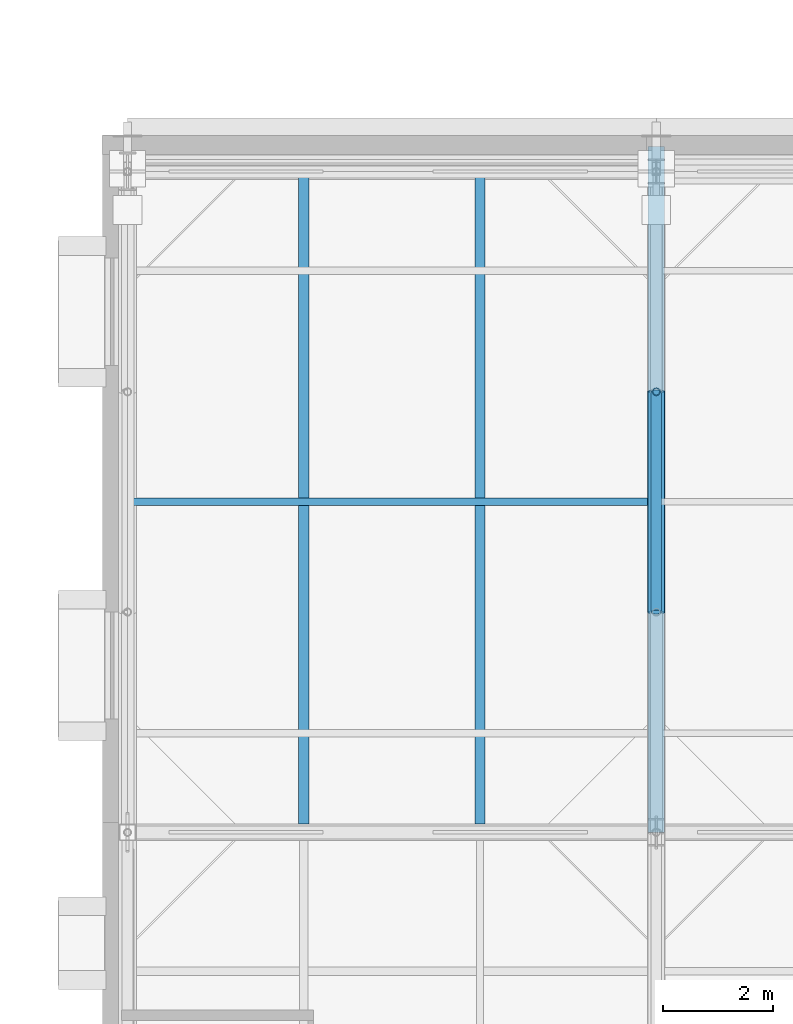
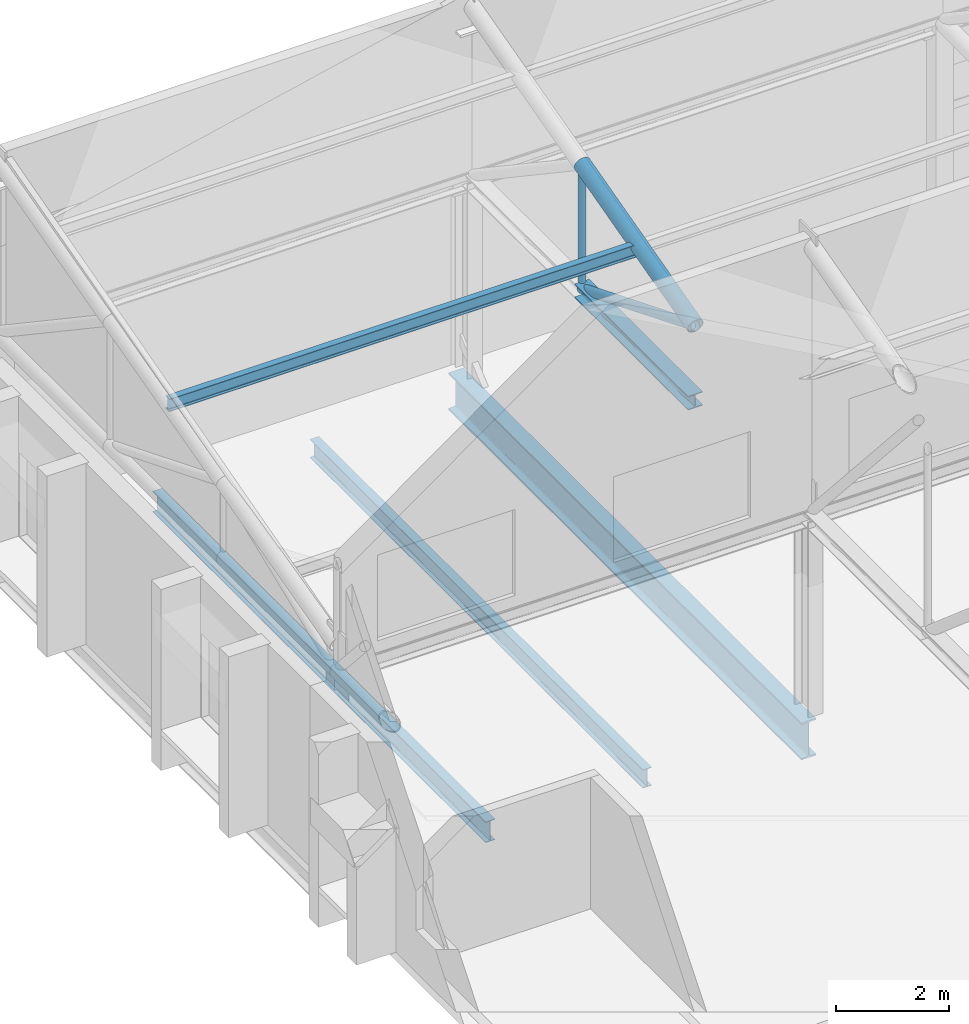
# One storey, part 33 of 89: 5 members, 3 beams.
"""IFC4 building model written with IfcOpenShell, lengths in metres."""

import ifcopenshell
import ifcopenshell.guid

model = None  # the IFC model being written
_history = None  # IfcOwnerHistory: only IFC2X3 demands one
_inside = {}  # id of a spatial element -> (the spatial element, [elements in it])
_under = {}  # id of a project, library or spatial element -> (it, [spatial elements below it])
_declared = {}  # id of a project -> (the project, [libraries it declares])
_typed = {}  # id of a type object -> (the type object, [elements of that type])
_made_of = {}  # id of a material, layer set ... -> (it, [elements and type objects made of it])


def new_model(schema):
    """Start an empty IFC model of exactly this schema.

    Asked for "IFC4X3", IfcOpenShell would pick the latest addendum, in which some entities
    have other attributes; the version numbers below select the first issue.
    IFC2X3 requires an IfcOwnerHistory on every rooted entity: one is made here for all.
    """
    global model, _history
    if schema == "IFC4X3":
        model = ifcopenshell.file(schema_version=(4, 3, 0, 0))
    else:
        model = ifcopenshell.file(schema=schema)
    _inside.clear()
    _under.clear()
    _declared.clear()
    _typed.clear()
    _made_of.clear()
    _history = None
    if model.schema == "IFC2X3":
        org = make("IfcOrganization", Name="unknown")
        user = make(
            "IfcPersonAndOrganization",
            ThePerson=make("IfcPerson", FamilyName="unknown"),
            TheOrganization=org,
        )
        app = make(
            "IfcApplication",
            ApplicationDeveloper=org,
            Version="unknown",
            ApplicationFullName="unknown",
            ApplicationIdentifier="unknown",
        )
        _history = make(
            "IfcOwnerHistory",
            OwningUser=user,
            OwningApplication=app,
            ChangeAction="ADDED",
            CreationDate=0,
        )
    return model


def make(cls, **values):
    """One entity of the class cls with the attributes given. An attribute that is None is left unset."""
    return model.create_entity(
        cls, **{name: value for name, value in values.items() if value is not None}
    )


def rooted(cls, **values):
    """An entity with a GlobalId (a new one), such as an element, a storey or a relation."""
    return make(cls, GlobalId=ifcopenshell.guid.new(), OwnerHistory=_history, **values)


def si_unit(unit_type, name, prefix=None):
    """IfcSIUnit, for example si_unit("LENGTHUNIT", "METRE", prefix="MILLI")."""
    return make("IfcSIUnit", UnitType=unit_type, Prefix=prefix, Name=name)


def assignment(units):
    """IfcUnitAssignment: the units of a project."""
    return None if units is None else make("IfcUnitAssignment", Units=units)


def point(xyz):
    """IfcCartesianPoint."""
    return None if xyz is None else make("IfcCartesianPoint", Coordinates=xyz)


def direction(xyz):
    """IfcDirection."""
    return None if xyz is None else make("IfcDirection", DirectionRatios=xyz)


def frame(location, z_axis=None, x_axis=None):
    """IfcAxis2Placement3D, a coordinate frame: its origin and axes. An axis left out is left unset."""
    return make(
        "IfcAxis2Placement3D",
        Location=point(location),
        Axis=direction(z_axis),
        RefDirection=direction(x_axis),
    )


def frame_2d(location, x_axis=None):
    """IfcAxis2Placement2D, a coordinate frame in the plane: its origin and x axis."""
    return make(
        "IfcAxis2Placement2D", Location=point(location), RefDirection=direction(x_axis)
    )


def origin():
    """The frame at (0, 0, 0) with its axes left unset."""
    return frame((0.0, 0.0, 0.0))


def origin_2d():
    """The frame at (0, 0) in the plane with its x axis left unset."""
    return frame_2d((0.0, 0.0))


def place(relative_to, where):
    """IfcLocalPlacement: puts the frame where relative to a parent placement (None: the world)."""
    return make(
        "IfcLocalPlacement", PlacementRelTo=relative_to, RelativePlacement=where
    )


def context(
    kind, dimensions, precision=None, world=None, true_north=None, identifier=None
):
    """IfcGeometricRepresentationContext, for example the 3D "Model" context."""
    return make(
        "IfcGeometricRepresentationContext",
        ContextIdentifier=identifier,
        ContextType=kind,
        CoordinateSpaceDimension=dimensions,
        Precision=precision,
        WorldCoordinateSystem=world,
        TrueNorth=true_north,
    )


def subcontext(parent, identifier, kind, view, scale=None):
    """IfcGeometricRepresentationSubContext, for example "Body" below "Model"."""
    return make(
        "IfcGeometricRepresentationSubContext",
        ContextIdentifier=identifier,
        ContextType=kind,
        ParentContext=parent,
        TargetScale=scale,
        TargetView=view,
    )


def project(units=None, contexts=None):
    """IfcProject with its units and contexts."""
    return rooted(
        "IfcProject",
        Name="project",
        RepresentationContexts=contexts,
        UnitsInContext=assignment(units),
    )


def spatial(cls, under=None, at=None, **own):
    """A site, building, storey or space (cls), placed at a placement, below another one or the project."""
    s = rooted(cls, ObjectPlacement=at, **own)
    if under is not None:
        _under.setdefault(under.id(), (under, []))[1].append(s)
    return s


def profile(cls, at=None, kind="AREA", **sizes):
    """A parametric profile (cls). Its sizes go by their IFC names, for example OverallWidth=200.0."""
    return make(cls, ProfileType=kind, Position=at, **sizes)


def hollow_circle(**sizes):
    """IfcCircleHollowProfileDef."""
    return profile("IfcCircleHollowProfileDef", **sizes)


def i_section(**sizes):
    """IfcIShapeProfileDef."""
    return profile("IfcIShapeProfileDef", **sizes)


def extrude(swept, where, along, depth):
    """IfcExtrudedAreaSolid: the profile swept, set in the frame where, extruded along a direction by depth."""
    return make(
        "IfcExtrudedAreaSolid",
        SweptArea=swept,
        Position=where,
        ExtrudedDirection=direction(along),
        Depth=depth,
    )


def shape(context_of_items, identifier, shape_type, items):
    """IfcShapeRepresentation: the items that make up one representation, for example the "Body"."""
    return make(
        "IfcShapeRepresentation",
        ContextOfItems=context_of_items,
        RepresentationIdentifier=identifier,
        RepresentationType=shape_type,
        Items=items,
    )


def material(Name=None, Category=None):
    """IfcMaterial."""
    return make("IfcMaterial", Name=Name, Category=Category)


def material_profile(
    of_material, cross_section, Name=None, Category=None, Priority=None
):
    """IfcMaterialProfile: a cross section and its material."""
    return make(
        "IfcMaterialProfile",
        Name=Name,
        Material=of_material,
        Profile=cross_section,
        Priority=Priority,
        Category=Category,
    )


def profile_set(profiles, Name=None, composite=None):
    """IfcMaterialProfileSet."""
    return make(
        "IfcMaterialProfileSet",
        Name=Name,
        MaterialProfiles=profiles,
        CompositeProfile=composite,
    )


def made_of(thing, what):
    """Note that an element or type object is made of a material, layer set ...; save() writes the relation."""
    if what is not None:
        _made_of.setdefault(what.id(), (what, []))[1].append(thing)
    return thing


def type_object(cls, material=None, **own):
    """A type object (cls), such as IfcWallType, which elements share."""
    return made_of(rooted(cls, **own), material)


def element(
    cls,
    number,
    at=None,
    inside=None,
    cuts=None,
    type_object=None,
    material=None,
    context=None,
    identifier="Body",
    shape_type=None,
    held_by="IfcProductDefinitionShape",
    body=None,
    shapes=None,
    **own,
):
    """One element of the class cls, such as IfcWall. Its Tag is "e" and its number.

    at: its placement. inside: the storey or other place that contains it. cuts: it is an
    opening in that element (IfcRelVoidsElement). A single representation is given by context,
    identifier, shape_type and body (its items); several are given by shapes. held_by: the class
    of the entity that holds the representations. save() writes the other relations.
    """
    e = rooted(cls, Tag="e%d" % number, ObjectPlacement=at, **own)
    if body is not None:
        shapes = [shape(context, identifier, shape_type, body)]
    if shapes is not None:
        e.Representation = make(held_by, Representations=shapes)
    if inside is not None:
        _inside.setdefault(inside.id(), (inside, []))[1].append(e)
    if cuts is not None:
        rooted(
            "IfcRelVoidsElement", RelatingBuildingElement=cuts, RelatedOpeningElement=e
        )
    if type_object is not None:
        _typed.setdefault(type_object.id(), (type_object, []))[1].append(e)
    return made_of(e, material)


def aggregate(whole, parts):
    """IfcRelAggregates: a whole, such as a stair, and the parts it consists of."""
    return rooted("IfcRelAggregates", RelatingObject=whole, RelatedObjects=parts)


def save(model, path):
    """Write the relations noted so far, then the file.

    IfcRelAggregates (storeys below a building ...), IfcRelContainedInSpatialStructure (elements
    in a storey), IfcRelDefinesByType, IfcRelAssociatesMaterial and IfcRelDeclares: one each for
    every whole, place, type object, material and project.
    """
    for whole, parts in _under.values():
        aggregate(whole, parts)
    for where, things in _inside.values():
        rooted(
            "IfcRelContainedInSpatialStructure",
            RelatedElements=things,
            RelatingStructure=where,
        )
    for kind, things in _typed.values():
        rooted("IfcRelDefinesByType", RelatedObjects=things, RelatingType=kind)
    for what, things in _made_of.values():
        rooted("IfcRelAssociatesMaterial", RelatedObjects=things, RelatingMaterial=what)
    for by, libraries in _declared.values():
        rooted("IfcRelDeclares", RelatingContext=by, RelatedDefinitions=libraries)
    model.write(path)


model = new_model("IFC4")

# Units and contexts
model_context = context("Model", 3, precision=1e-05, world=origin(), true_north=direction((0.0, 1.0)))
body_context = subcontext(model_context, "Body", "Model", "MODEL_VIEW")
ifc_project = project(units=[si_unit("LENGTHUNIT", "METRE"), si_unit("AREAUNIT", "SQUARE_METRE"), si_unit("VOLUMEUNIT", "CUBIC_METRE"), si_unit("PLANEANGLEUNIT", "RADIAN"), si_unit("MASSUNIT", "GRAM", prefix="KILO")], contexts=[model_context])

# Site, building, storey
site_placement = place(None, origin())
site = spatial("IfcSite", under=ifc_project, at=site_placement, CompositionType="ELEMENT")
building_placement = place(site_placement, origin())
building = spatial("IfcBuilding", under=site, at=building_placement, Name="Zereglee Splitstone Museum", CompositionType="ELEMENT")
storey_placement = place(building_placement, frame((0.0, 0.0, 21.300048828125)))
storey = spatial("IfcBuildingStorey", under=building, at=storey_placement, Name="L04", CompositionType="ELEMENT", Elevation=21.300048828125)

# Members
ifc_material_1 = material(Name="Steel S355J2H", Category="steel")
ifc_material_profile_1 = material_profile(ifc_material_1, hollow_circle(Radius=0.096923828125, WallThickness=0.010009765625, at=origin_2d()), Name="CHS 193.7x10")
ifc_profile_set_1 = profile_set([ifc_material_profile_1], Name="Steel S355J2H")
member_type_1 = type_object("IfcMemberType", Name="TB-04", PredefinedType="BRACE", material=ifc_profile_set_1)
member_1_placement = place(storey_placement, frame((87.60009765625, 46.39990234375, 4.199951171875), z_axis=(0.0, -0.927136001435, 0.374725012299), x_axis=(1.0, 0.0, 0.0)))
element("IfcMember", 1, at=member_1_placement, inside=storey, type_object=member_type_1, Name="Roof Truss ST-02 Diagonal 3.2", PredefinedType="BRACE", context=body_context, shape_type="SweptSolid", body=[
    extrude(hollow_circle(Radius=0.096923828125, WallThickness=0.010009765625, at=origin_2d()), origin(), (0.0, 0.0, 1.0), 4.314453125),
])
ifc_material_profile_2 = material_profile(ifc_material_1, hollow_circle(Radius=0.161865234375, WallThickness=0.01611328125, at=origin_2d()), Name="CHS 323.9x16")
ifc_profile_set_2 = profile_set([ifc_material_profile_2], Name="Steel S355J2H")
member_type_2 = type_object("IfcMemberType", Name="TC-05", PredefinedType="CHORD", material=ifc_profile_set_2)
member_2_placement = place(storey_placement, frame((87.60009765625, 42.39990234375, 5.816650390625), z_axis=(0.0, 0.966235918422, 0.257658979955), x_axis=(-1.0, 0.0, 0.0)))
element("IfcMember", 2, at=member_2_placement, inside=storey, type_object=member_type_2, Name="Roof Truss ST-02 Top Chord 3.2", PredefinedType="CHORD", context=body_context, shape_type="SweptSolid", body=[
    extrude(hollow_circle(Radius=0.161865234375, WallThickness=0.01611328125, at=origin_2d()), origin(), (0.0, 0.0, 1.0), 4.139892578125),
])
ifc_material_2 = material(Name="Steel S355J2", Category="steel")
ifc_material_profile_3 = material_profile(ifc_material_2, i_section(OverallWidth=0.300048828125, OverallDepth=0.300048828125, WebThickness=0.010986328125, FlangeThickness=0.01904296875, FilletRadius=0.027099609375, at=origin_2d()), Name="HE 300 B")
ifc_profile_set_3 = profile_set([ifc_material_profile_3], Name="Steel S355J2")
member_type_3 = type_object("IfcMemberType", Name="TC-07", PredefinedType="CHORD", material=ifc_profile_set_3)
member_3_placement = place(storey_placement, frame((87.60009765625, 42.39990234375, 4.199951171875), z_axis=(0.0, 1.0, 0.0), x_axis=(-1.0, 0.0, 0.0)))
element("IfcMember", 3, at=member_3_placement, inside=storey, type_object=member_type_3, Name="Roof Truss ST-02 Bottom Chord 3.2", PredefinedType="CHORD", context=body_context, shape_type="SweptSolid", body=[
    extrude(i_section(OverallWidth=0.300048828125, OverallDepth=0.300048828125, WebThickness=0.010986328125, FlangeThickness=0.01904296875, FilletRadius=0.027099609375, at=origin_2d()), origin(), (0.0, 0.0, 1.0), 4.0),
])

# Beams
ifc_material_profile_4 = material_profile(ifc_material_2, i_section(OverallWidth=0.300048828125, OverallDepth=0.800048828125, WebThickness=0.017578125, FlangeThickness=0.032958984375, FilletRadius=0.030029296875, at=origin_2d()), Name="HE 800 B")
ifc_profile_set_4 = profile_set([ifc_material_profile_4], Name="Steel S355J2")
beam_type_1 = type_object("IfcBeamType", Name="BG-07", PredefinedType="BEAM", material=ifc_profile_set_4)
beam_1_placement = place(storey_placement, frame((87.60009765625, 38.39990234375, -0.66015625), z_axis=(0.0, 1.0, 0.0), x_axis=(-1.0, 0.0, 0.0)))
element("IfcBeam", 4, at=beam_1_placement, inside=storey, type_object=beam_type_1, Name="Primary Girder L04 11 (38.4-50.9)", PredefinedType="BEAM", context=body_context, shape_type="SweptSolid", body=[
    extrude(i_section(OverallWidth=0.300048828125, OverallDepth=0.800048828125, WebThickness=0.017578125, FlangeThickness=0.032958984375, FilletRadius=0.030029296875, at=origin_2d()), origin(), (0.0, 0.0, 1.0), 12.4501953125),
])
ifc_material_profile_5 = material_profile(ifc_material_2, i_section(OverallWidth=0.179931640625, OverallDepth=0.39990234375, WebThickness=0.008544921875, FlangeThickness=0.013427734375, FilletRadius=0.02099609375, at=origin_2d()), Name="IPE 400")
ifc_profile_set_5 = profile_set([ifc_material_profile_5], Name="Steel S355J2")
beam_type_2 = type_object("IfcBeamType", Name="BJ-03", PredefinedType="JOIST", material=ifc_profile_set_5)
beam_2_placement = place(storey_placement, frame((84.39990234375, 38.550048828125, -0.4599609375), z_axis=(0.0, 1.0, 0.0), x_axis=(-1.0, 0.0, 0.0)))
element("IfcBeam", 5, at=beam_2_placement, inside=storey, type_object=beam_type_2, Name="Secondary Floor Joist L04-1549", PredefinedType="JOIST", context=body_context, shape_type="SweptSolid", body=[
    extrude(i_section(OverallWidth=0.179931640625, OverallDepth=0.39990234375, WebThickness=0.008544921875, FlangeThickness=0.013427734375, FilletRadius=0.02099609375, at=origin_2d()), origin(), (0.0, 0.0, 1.0), 11.75),
])
ifc_material_profile_6 = material_profile(ifc_material_2, i_section(OverallWidth=0.18994140625, OverallDepth=0.449951171875, WebThickness=0.009521484375, FlangeThickness=0.0146484375, FilletRadius=0.02099609375, at=origin_2d()), Name="IPE 450")
ifc_profile_set_6 = profile_set([ifc_material_profile_6], Name="Steel S355J2")
beam_type_3 = type_object("IfcBeamType", Name="BJ-02", PredefinedType="JOIST", material=ifc_profile_set_6)
beam_3_placement = place(storey_placement, frame((81.199951171875, 38.550048828125, -0.485107421875), z_axis=(0.0, 1.0, 0.0), x_axis=(-1.0, 0.0, 0.0)))
element("IfcBeam", 6, at=beam_3_placement, inside=storey, type_object=beam_type_3, Name="Secondary Floor Joist L04-1548", PredefinedType="JOIST", context=body_context, shape_type="SweptSolid", body=[
    extrude(i_section(OverallWidth=0.18994140625, OverallDepth=0.449951171875, WebThickness=0.009521484375, FlangeThickness=0.0146484375, FilletRadius=0.02099609375, at=origin_2d()), origin(), (0.0, 0.0, 1.0), 11.75),
])

# Members
ifc_material_profile_7 = material_profile(ifc_material_1, hollow_circle(Radius=0.06982421875, WallThickness=0.008056640625, at=origin_2d()), Name="CHS 139.7x8")
ifc_profile_set_7 = profile_set([ifc_material_profile_7], Name="Steel S355J2H")
member_type_4 = type_object("IfcMemberType", Name="TP-03", PredefinedType="POST", material=ifc_profile_set_7)
member_4_placement = place(storey_placement, frame((87.60009765625, 46.39990234375, 4.199951171875), z_axis=(0.0, 0.0, 1.0), x_axis=(1.0, 0.0, 0.0)))
element("IfcMember", 7, at=member_4_placement, inside=storey, type_object=member_type_4, Name="Roof Truss ST-02 Post 3.2", PredefinedType="POST", context=body_context, shape_type="SweptSolid", body=[
    extrude(hollow_circle(Radius=0.06982421875, WallThickness=0.008056640625, at=origin_2d()), origin(), (0.0, 0.0, 1.0), 2.683349609375),
])
ifc_material_profile_8 = material_profile(ifc_material_2, i_section(OverallWidth=0.135009765625, OverallDepth=0.27001953125, WebThickness=0.006591796875, FlangeThickness=0.01025390625, FilletRadius=0.014892578125, at=origin_2d()), Name="IPE 270")
ifc_profile_set_8 = profile_set([ifc_material_profile_8], Name="Steel S355J2")
member_type_5 = type_object("IfcMemberType", Name="PR-02", PredefinedType="PURLIN", material=ifc_profile_set_8)
member_5_placement = place(storey_placement, frame((78.0, 44.39990234375, 6.28857421875), z_axis=(1.0, 0.0, 0.0), x_axis=(0.0, 1.0, 0.0)))
element("IfcMember", 8, at=member_5_placement, inside=storey, type_object=member_type_5, Name="Sawtooth Roof Purlin B1-S3-2", PredefinedType="PURLIN", context=body_context, shape_type="SweptSolid", body=[
    extrude(i_section(OverallWidth=0.135009765625, OverallDepth=0.27001953125, WebThickness=0.006591796875, FlangeThickness=0.01025390625, FilletRadius=0.014892578125, at=origin_2d()), origin(), (0.0, 0.0, 1.0), 9.60009765625),
])

save(model, "model.ifc")
